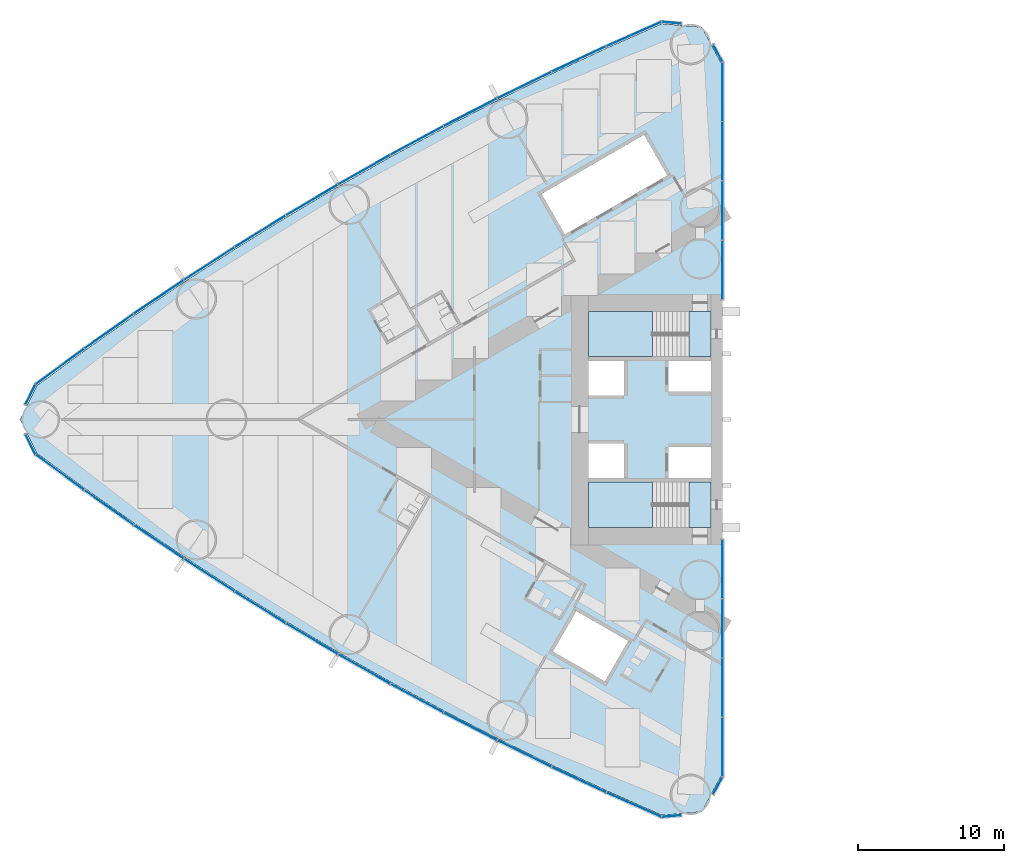
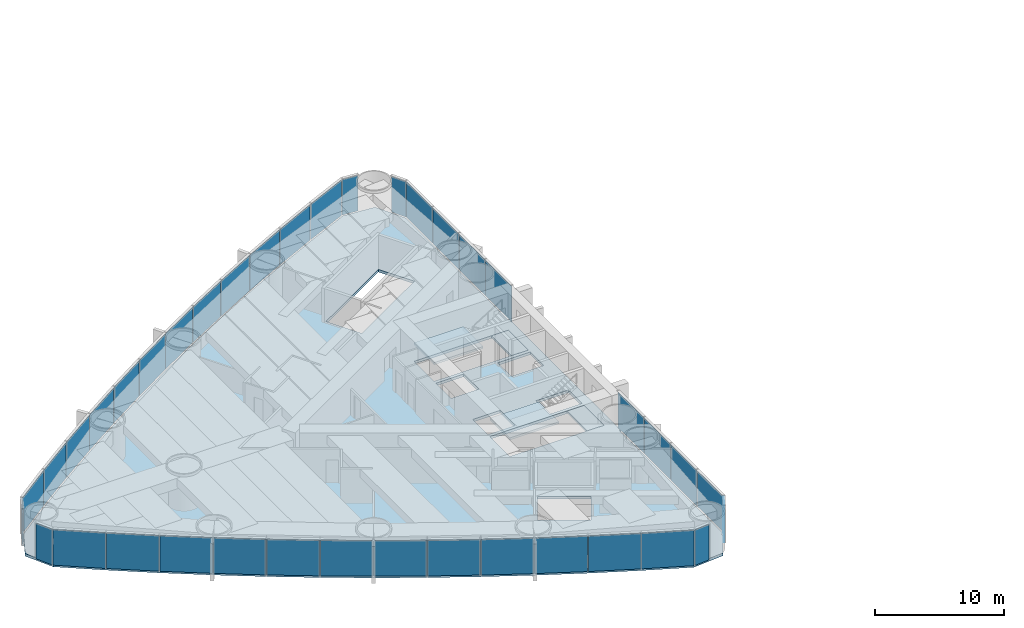
# One storey, part 9 of 19: 38 plates, 5 slabs, 6 elements without a shape of their own.
"""IFC4 building model written with IfcOpenShell, lengths in metres."""

import ifcopenshell
import ifcopenshell.guid

model = None  # the IFC model being written
_history = None  # IfcOwnerHistory: only IFC2X3 demands one
_inside = {}  # id of a spatial element -> (the spatial element, [elements in it])
_under = {}  # id of a project, library or spatial element -> (it, [spatial elements below it])
_declared = {}  # id of a project -> (the project, [libraries it declares])
_typed = {}  # id of a type object -> (the type object, [elements of that type])
_made_of = {}  # id of a material, layer set ... -> (it, [elements and type objects made of it])


def new_model(schema):
    """Start an empty IFC model of exactly this schema.

    Asked for "IFC4X3", IfcOpenShell would pick the latest addendum, in which some entities
    have other attributes; the version numbers below select the first issue.
    IFC2X3 requires an IfcOwnerHistory on every rooted entity: one is made here for all.
    """
    global model, _history
    if schema == "IFC4X3":
        model = ifcopenshell.file(schema_version=(4, 3, 0, 0))
    else:
        model = ifcopenshell.file(schema=schema)
    _inside.clear()
    _under.clear()
    _declared.clear()
    _typed.clear()
    _made_of.clear()
    _history = None
    if model.schema == "IFC2X3":
        org = make("IfcOrganization", Name="unknown")
        user = make(
            "IfcPersonAndOrganization",
            ThePerson=make("IfcPerson", FamilyName="unknown"),
            TheOrganization=org,
        )
        app = make(
            "IfcApplication",
            ApplicationDeveloper=org,
            Version="unknown",
            ApplicationFullName="unknown",
            ApplicationIdentifier="unknown",
        )
        _history = make(
            "IfcOwnerHistory",
            OwningUser=user,
            OwningApplication=app,
            ChangeAction="ADDED",
            CreationDate=0,
        )
    return model


def make(cls, **values):
    """One entity of the class cls with the attributes given. An attribute that is None is left unset."""
    return model.create_entity(
        cls, **{name: value for name, value in values.items() if value is not None}
    )


def rooted(cls, **values):
    """An entity with a GlobalId (a new one), such as an element, a storey or a relation."""
    return make(cls, GlobalId=ifcopenshell.guid.new(), OwnerHistory=_history, **values)


def si_unit(unit_type, name, prefix=None):
    """IfcSIUnit, for example si_unit("LENGTHUNIT", "METRE", prefix="MILLI")."""
    return make("IfcSIUnit", UnitType=unit_type, Prefix=prefix, Name=name)


def assignment(units):
    """IfcUnitAssignment: the units of a project."""
    return None if units is None else make("IfcUnitAssignment", Units=units)


def point(xyz):
    """IfcCartesianPoint."""
    return None if xyz is None else make("IfcCartesianPoint", Coordinates=xyz)


def direction(xyz):
    """IfcDirection."""
    return None if xyz is None else make("IfcDirection", DirectionRatios=xyz)


def frame(location, z_axis=None, x_axis=None):
    """IfcAxis2Placement3D, a coordinate frame: its origin and axes. An axis left out is left unset."""
    return make(
        "IfcAxis2Placement3D",
        Location=point(location),
        Axis=direction(z_axis),
        RefDirection=direction(x_axis),
    )


def frame_2d(location, x_axis=None):
    """IfcAxis2Placement2D, a coordinate frame in the plane: its origin and x axis."""
    return make(
        "IfcAxis2Placement2D", Location=point(location), RefDirection=direction(x_axis)
    )


def origin():
    """The frame at (0, 0, 0) with its axes left unset."""
    return frame((0.0, 0.0, 0.0))


def origin_2d():
    """The frame at (0, 0) in the plane with its x axis left unset."""
    return frame_2d((0.0, 0.0))


def place(relative_to, where):
    """IfcLocalPlacement: puts the frame where relative to a parent placement (None: the world)."""
    return make(
        "IfcLocalPlacement", PlacementRelTo=relative_to, RelativePlacement=where
    )


def context(
    kind, dimensions, precision=None, world=None, true_north=None, identifier=None
):
    """IfcGeometricRepresentationContext, for example the 3D "Model" context."""
    return make(
        "IfcGeometricRepresentationContext",
        ContextIdentifier=identifier,
        ContextType=kind,
        CoordinateSpaceDimension=dimensions,
        Precision=precision,
        WorldCoordinateSystem=world,
        TrueNorth=true_north,
    )


def subcontext(parent, identifier, kind, view, scale=None):
    """IfcGeometricRepresentationSubContext, for example "Body" below "Model"."""
    return make(
        "IfcGeometricRepresentationSubContext",
        ContextIdentifier=identifier,
        ContextType=kind,
        ParentContext=parent,
        TargetScale=scale,
        TargetView=view,
    )


def project(units=None, contexts=None):
    """IfcProject with its units and contexts."""
    return rooted(
        "IfcProject",
        Name="project",
        RepresentationContexts=contexts,
        UnitsInContext=assignment(units),
    )


def spatial(cls, under=None, at=None, **own):
    """A site, building, storey or space (cls), placed at a placement, below another one or the project."""
    s = rooted(cls, ObjectPlacement=at, **own)
    if under is not None:
        _under.setdefault(under.id(), (under, []))[1].append(s)
    return s


def polyline(points):
    """IfcPolyline through the points."""
    return make("IfcPolyline", Points=[point(p) for p in points])


def profile(cls, at=None, kind="AREA", **sizes):
    """A parametric profile (cls). Its sizes go by their IFC names, for example OverallWidth=200.0."""
    return make(cls, ProfileType=kind, Position=at, **sizes)


def rectangle(**sizes):
    """IfcRectangleProfileDef."""
    return profile("IfcRectangleProfileDef", **sizes)


def outline(outer, holes=None, kind="AREA"):
    """IfcArbitraryClosedProfileDef: a profile drawn as a closed curve; with holes, ...WithVoids."""
    if holes is None:
        return make("IfcArbitraryClosedProfileDef", ProfileType=kind, OuterCurve=outer)
    return make(
        "IfcArbitraryProfileDefWithVoids",
        ProfileType=kind,
        OuterCurve=outer,
        InnerCurves=holes,
    )


def extrude(swept, where, along, depth):
    """IfcExtrudedAreaSolid: the profile swept, set in the frame where, extruded along a direction by depth."""
    return make(
        "IfcExtrudedAreaSolid",
        SweptArea=swept,
        Position=where,
        ExtrudedDirection=direction(along),
        Depth=depth,
    )


def shape(context_of_items, identifier, shape_type, items):
    """IfcShapeRepresentation: the items that make up one representation, for example the "Body"."""
    return make(
        "IfcShapeRepresentation",
        ContextOfItems=context_of_items,
        RepresentationIdentifier=identifier,
        RepresentationType=shape_type,
        Items=items,
    )


def material(Name=None, Category=None):
    """IfcMaterial."""
    return make("IfcMaterial", Name=Name, Category=Category)


def layer(
    of_material, thickness, ventilated=None, Name=None, Category=None, Priority=None
):
    """IfcMaterialLayer: one layer of a wall or slab, of a material (None: an air gap)."""
    return make(
        "IfcMaterialLayer",
        Material=of_material,
        LayerThickness=thickness,
        IsVentilated=ventilated,
        Name=Name,
        Category=Category,
        Priority=Priority,
    )


def layer_set(layers, Name=None):
    """IfcMaterialLayerSet."""
    return make("IfcMaterialLayerSet", MaterialLayers=layers, LayerSetName=Name)


def made_of(thing, what):
    """Note that an element or type object is made of a material, layer set ...; save() writes the relation."""
    if what is not None:
        _made_of.setdefault(what.id(), (what, []))[1].append(thing)
    return thing


def type_object(cls, material=None, **own):
    """A type object (cls), such as IfcWallType, which elements share."""
    return made_of(rooted(cls, **own), material)


def element(
    cls,
    number,
    at=None,
    inside=None,
    cuts=None,
    type_object=None,
    material=None,
    context=None,
    identifier="Body",
    shape_type=None,
    held_by="IfcProductDefinitionShape",
    body=None,
    shapes=None,
    **own,
):
    """One element of the class cls, such as IfcWall. Its Tag is "e" and its number.

    at: its placement. inside: the storey or other place that contains it. cuts: it is an
    opening in that element (IfcRelVoidsElement). A single representation is given by context,
    identifier, shape_type and body (its items); several are given by shapes. held_by: the class
    of the entity that holds the representations. save() writes the other relations.
    """
    e = rooted(cls, Tag="e%d" % number, ObjectPlacement=at, **own)
    if body is not None:
        shapes = [shape(context, identifier, shape_type, body)]
    if shapes is not None:
        e.Representation = make(held_by, Representations=shapes)
    if inside is not None:
        _inside.setdefault(inside.id(), (inside, []))[1].append(e)
    if cuts is not None:
        rooted(
            "IfcRelVoidsElement", RelatingBuildingElement=cuts, RelatedOpeningElement=e
        )
    if type_object is not None:
        _typed.setdefault(type_object.id(), (type_object, []))[1].append(e)
    return made_of(e, material)


def aggregate(whole, parts):
    """IfcRelAggregates: a whole, such as a stair, and the parts it consists of."""
    return rooted("IfcRelAggregates", RelatingObject=whole, RelatedObjects=parts)


def save(model, path):
    """Write the relations noted so far, then the file.

    IfcRelAggregates (storeys below a building ...), IfcRelContainedInSpatialStructure (elements
    in a storey), IfcRelDefinesByType, IfcRelAssociatesMaterial and IfcRelDeclares: one each for
    every whole, place, type object, material and project.
    """
    for whole, parts in _under.values():
        aggregate(whole, parts)
    for where, things in _inside.values():
        rooted(
            "IfcRelContainedInSpatialStructure",
            RelatedElements=things,
            RelatingStructure=where,
        )
    for kind, things in _typed.values():
        rooted("IfcRelDefinesByType", RelatedObjects=things, RelatingType=kind)
    for what, things in _made_of.values():
        rooted("IfcRelAssociatesMaterial", RelatedObjects=things, RelatingMaterial=what)
    for by, libraries in _declared.values():
        rooted("IfcRelDeclares", RelatingContext=by, RelatedDefinitions=libraries)
    model.write(path)


model = new_model("IFC4")

# Units and contexts
model_context = context("Model", 3, precision=1e-05, world=origin(), true_north=direction((0.0, 1.0)))
body_context = subcontext(model_context, "Body", "Model", "MODEL_VIEW")
ifc_project = project(units=[si_unit("LENGTHUNIT", "METRE"), si_unit("AREAUNIT", "SQUARE_METRE"), si_unit("VOLUMEUNIT", "CUBIC_METRE"), si_unit("PLANEANGLEUNIT", "RADIAN"), si_unit("MASSUNIT", "GRAM", prefix="KILO")], contexts=[model_context])

# Site, building, storey
site_placement = place(None, origin())
site = spatial("IfcSite", under=ifc_project, at=site_placement, CompositionType="ELEMENT")
building_placement = place(site_placement, origin())
building = spatial("IfcBuilding", under=site, at=building_placement, Name="Lancet Gate Hotel", CompositionType="ELEMENT")
storey_placement = place(building_placement, frame((0.0, 0.0, 25.0)))
storey = spatial("IfcBuildingStorey", under=building, at=storey_placement, Name="L05", CompositionType="ELEMENT", Elevation=25.0)

# Slab
ifc_material_1 = material(Name="Concrete C50/60", Category="concrete")
ifc_layer_1 = layer(ifc_material_1, 0.25)
ifc_layer_set_1 = layer_set([ifc_layer_1], Name="Floor slab 250")
slab_type_1 = type_object("IfcSlabType", Name="Floor slab 250", PredefinedType="FLOOR", material=ifc_layer_set_1)
slab_1_placement = place(storey_placement, frame((0.0, 0.0, -0.25)))
element("IfcSlab", 1, at=slab_1_placement, inside=storey, type_object=slab_type_1, Name="T1 L05 floor slab", PredefinedType="FLOOR", context=body_context, shape_type="SweptSolid", body=[
    extrude(outline(polyline([(-27.5, 8.60009765625), (-27.6201171875, 8.60009765625), (-27.6201171875, 24.4609375), (-28.926513671875, 26.8837890625), (-31.668212890625, 27.12353515625), (-35.424072265625, 25.458740234375), (-39.173583984375, 23.70849609375), (-42.887939453125, 21.884765625), (-46.56591796875, 19.98876953125), (-50.2060546875, 18.02099609375), (-53.806884765625, 15.982421875), (-57.366943359375, 13.87353515625), (-60.88525390625, 11.695068359375), (-64.360107421875, 9.448486328125), (-67.7900390625, 7.134033203125), (-71.17431640625, 4.752685546875), (-74.488525390625, 2.322021484375), (-75.65087890625, 0.0), (-74.488525390625, -2.322021484375), (-71.17431640625, -4.752685546875), (-67.7900390625, -7.134033203125), (-64.360107421875, -9.448486328125), (-60.88525390625, -11.695068359375), (-57.366943359375, -13.87353515625), (-53.806884765625, -15.982421875), (-50.2060546875, -18.02099609375), (-46.56591796875, -19.98876953125), (-42.887939453125, -21.884765625), (-39.173583984375, -23.70849609375), (-35.424072265625, -25.458740234375), (-31.668212890625, -27.12353515625), (-28.926513671875, -26.8837890625), (-27.6201171875, -24.4609375), (-27.6201171875, -8.60009765625), (-27.5, -8.60009765625), (-27.5, -8.199951171875), (-27.5, 8.199951171875), (-27.5, 8.60009765625)]), holes=[polyline([(-36.699951171875, 7.39990234375), (-36.699951171875, 4.300048828125), (-28.300048828125, 4.300048828125), (-28.300048828125, 7.39990234375), (-36.699951171875, 7.39990234375)]), polyline([(-28.300048828125, 4.0), (-31.199951171875, 4.0), (-31.199951171875, 1.89990234375), (-28.300048828125, 1.89990234375), (-28.300048828125, 4.0)]), polyline([(-34.25, 4.0), (-36.699951171875, 4.0), (-36.699951171875, 1.64990234375), (-34.25, 1.64990234375), (-34.25, 4.0)]), polyline([(-36.699951171875, -1.64990234375), (-36.699951171875, -4.0), (-34.25, -4.0), (-34.25, -1.64990234375), (-36.699951171875, -1.64990234375)]), polyline([(-28.300048828125, -1.89990234375), (-31.199951171875, -1.89990234375), (-31.199951171875, -4.0), (-28.300048828125, -4.0), (-28.300048828125, -1.89990234375)]), polyline([(-28.300048828125, -4.300048828125), (-36.699951171875, -4.300048828125), (-36.699951171875, -7.39990234375), (-28.300048828125, -7.39990234375), (-28.300048828125, -4.300048828125)]), polyline([(-31.2900390625, 16.73095703125), (-32.889892578125, 19.501953125), (-39.904052734375, 15.451904296875), (-38.303955078125, 12.680908203125), (-31.2900390625, 16.73095703125)]), polyline([(-33.97412109375, -15.180908203125), (-37.52490234375, -13.131103515625), (-39.125, -15.902099609375), (-35.573974609375, -17.951904296875), (-33.97412109375, -15.180908203125)])]), origin(), (0.0, 0.0, 1.0), 0.25),
])

# Stair, slabs
ifc_material_2 = material(Name="Exit stair 20 risers 1500")
stair_type = type_object("IfcStairType", Name="Exit stair 20 risers 1500", PredefinedType="HALF_TURN_STAIR", material=ifc_material_2)
stair_1_placement = place(storey_placement, origin())
stair_1 = element("IfcStair", 2, at=stair_1_placement, inside=storey, type_object=stair_type, Name="T1 stair 1 L05", PredefinedType="HALF_TURN_STAIR")
ifc_material_3 = material(Name="Concrete C40/50", Category="concrete")
ifc_layer_2 = layer(ifc_material_3, 0.199951171875)
ifc_layer_set_2 = layer_set([ifc_layer_2], Name="Stair landing 200")
slab_type_2 = type_object("IfcSlabType", Name="Stair landing 200", PredefinedType="LANDING", material=ifc_layer_set_2)
slab_2_placement = place(storey_placement, frame((0.0, 0.0, -0.199951171875)))
slab_2 = element("IfcSlab", 3, at=slab_2_placement, type_object=slab_type_2, Name="ST1 landing 1", PredefinedType="LANDING", context=body_context, shape_type="SweptSolid", body=[
    extrude(outline(polyline([(-28.300048828125, 7.39990234375), (-29.800048828125, 7.39990234375), (-29.800048828125, 4.300048828125), (-28.300048828125, 4.300048828125), (-28.300048828125, 7.39990234375)])), origin(), (0.0, 0.0, 1.0), 0.199951171875),
])
slab_3_placement = place(storey_placement, frame((0.0, 0.0, 1.550048828125)))
slab_3 = element("IfcSlab", 4, at=slab_3_placement, type_object=slab_type_2, Name="ST1 landing 2", PredefinedType="LANDING", context=body_context, shape_type="SweptSolid", body=[
    extrude(outline(polyline([(-32.320068359375, 7.39990234375), (-36.699951171875, 7.39990234375), (-36.699951171875, 4.300048828125), (-32.320068359375, 4.300048828125), (-32.320068359375, 7.39990234375)])), origin(), (0.0, 0.0, 1.0), 0.199951171875),
])
aggregate(stair_1, [slab_2, slab_3])

stair_2_placement = place(storey_placement, origin())
stair_2 = element("IfcStair", 5, at=stair_2_placement, inside=storey, type_object=stair_type, Name="T1 stair 2 L05", PredefinedType="HALF_TURN_STAIR")
slab_4_placement = place(storey_placement, frame((0.0, 0.0, -0.199951171875)))
slab_4 = element("IfcSlab", 6, at=slab_4_placement, type_object=slab_type_2, Name="ST2 landing 1", PredefinedType="LANDING", context=body_context, shape_type="SweptSolid", body=[
    extrude(outline(polyline([(-28.300048828125, -4.300048828125), (-29.800048828125, -4.300048828125), (-29.800048828125, -7.39990234375), (-28.300048828125, -7.39990234375), (-28.300048828125, -4.300048828125)])), origin(), (0.0, 0.0, 1.0), 0.199951171875),
])
slab_5_placement = place(storey_placement, frame((0.0, 0.0, 1.550048828125)))
slab_5 = element("IfcSlab", 7, at=slab_5_placement, type_object=slab_type_2, Name="ST2 landing 2", PredefinedType="LANDING", context=body_context, shape_type="SweptSolid", body=[
    extrude(outline(polyline([(-32.320068359375, -4.300048828125), (-36.699951171875, -4.300048828125), (-36.699951171875, -7.39990234375), (-32.320068359375, -7.39990234375), (-32.320068359375, -4.300048828125)])), origin(), (0.0, 0.0, 1.0), 0.199951171875),
])
aggregate(stair_2, [slab_4, slab_5])

# Curtain wall, plates
ifc_material_4 = material(Name="Aluminium curtain wall", Category="aluminium")
curtain_wall_type = type_object("IfcCurtainWallType", Name="Tower unitised curtain wall", PredefinedType="USERDEFINED", material=ifc_material_4)
curtain_wall_1_placement = place(storey_placement, origin())
curtain_wall_1 = element("IfcCurtainWall", 8, at=curtain_wall_1_placement, inside=storey, type_object=curtain_wall_type, Name="T1 L05 curtain wall 1", ObjectType="UNITISED CURTAIN WALL", PredefinedType="USERDEFINED")
ifc_material_5 = material(Name="Glass double glazed unit 8-16-6", Category="glass")
ifc_layer_3 = layer(ifc_material_5, 0.030029296875)
ifc_layer_set_3 = layer_set([ifc_layer_3], Name="Vision panel double glazed")
plate_type = type_object("IfcPlateType", Name="Vision panel double glazed", PredefinedType="CURTAIN_PANEL", material=ifc_layer_set_3)
plate_1_placement = place(storey_placement, frame((-27.5, 10.236328125, 0.0), z_axis=(0.0, 0.0, 1.0), x_axis=(0.0, 1.0, 0.0)))
plate_1 = element("IfcPlate", 9, at=plate_1_placement, type_object=plate_type, Name="T1 L05 curtain wall 1 panel 1", PredefinedType="CURTAIN_PANEL", context=body_context, shape_type="SweptSolid", body=[
    extrude(rectangle(XDim=4.0078125, YDim=0.030029296875, at=origin_2d()), origin(), (0.0, 0.0, 1.0), 3.35009765625),
])
plate_2_placement = place(storey_placement, frame((-27.5, 14.30908203125, 0.0), z_axis=(0.0, 0.0, 1.0), x_axis=(0.0, 1.0, 0.0)))
plate_2 = element("IfcPlate", 10, at=plate_2_placement, type_object=plate_type, Name="T1 L05 curtain wall 1 panel 2", PredefinedType="CURTAIN_PANEL", context=body_context, shape_type="SweptSolid", body=[
    extrude(rectangle(XDim=4.0078125, YDim=0.030029296875, at=origin_2d()), origin(), (0.0, 0.0, 1.0), 3.35009765625),
])
plate_3_placement = place(storey_placement, frame((-27.5, 18.382080078125, 0.0), z_axis=(0.0, 0.0, 1.0), x_axis=(0.0, 1.0, 0.0)))
plate_3 = element("IfcPlate", 11, at=plate_3_placement, type_object=plate_type, Name="T1 L05 curtain wall 1 panel 3", PredefinedType="CURTAIN_PANEL", context=body_context, shape_type="SweptSolid", body=[
    extrude(rectangle(XDim=4.0078125, YDim=0.030029296875, at=origin_2d()), origin(), (0.0, 0.0, 1.0), 3.35009765625),
])
plate_4_placement = place(storey_placement, frame((-27.5, 22.454833984375, 0.0), z_axis=(0.0, 0.0, 1.0), x_axis=(0.0, 1.0, 0.0)))
plate_4 = element("IfcPlate", 12, at=plate_4_placement, type_object=plate_type, Name="T1 L05 curtain wall 1 panel 4", PredefinedType="CURTAIN_PANEL", context=body_context, shape_type="SweptSolid", body=[
    extrude(rectangle(XDim=4.0078125, YDim=0.030029296875, at=origin_2d()), origin(), (0.0, 0.0, 1.0), 3.35009765625),
])
plate_5_placement = place(storey_placement, frame((-27.829345703125, 25.10205078125, 0.0), z_axis=(0.0, 0.0, 1.0), x_axis=(-0.474631040972, 0.880184852714, 0.0)))
plate_5 = element("IfcPlate", 13, at=plate_5_placement, type_object=plate_type, Name="T1 L05 curtain wall 1 panel 5", PredefinedType="CURTAIN_PANEL", context=body_context, shape_type="SweptSolid", body=[
    extrude(rectangle(XDim=1.322998046875, YDim=0.030029296875, at=origin_2d()), origin(), (0.0, 0.0, 1.0), 3.35009765625),
])
aggregate(curtain_wall_1, [plate_1, plate_2, plate_3, plate_4, plate_5])

curtain_wall_2_placement = place(storey_placement, origin())
curtain_wall_2 = element("IfcCurtainWall", 14, at=curtain_wall_2_placement, inside=storey, type_object=curtain_wall_type, Name="T1 L05 curtain wall 2", ObjectType="UNITISED CURTAIN WALL", PredefinedType="USERDEFINED")
plate_6_placement = place(storey_placement, frame((-30.99658203125, 27.185302734375, 0.0), z_axis=(0.0, 0.0, 1.0), x_axis=(-0.99620380374, 0.087051602022, 0.0)))
plate_6 = element("IfcPlate", 15, at=plate_6_placement, type_object=plate_type, Name="T1 L05 curtain wall 2 panel 1", PredefinedType="CURTAIN_PANEL", context=body_context, shape_type="SweptSolid", body=[
    extrude(rectangle(XDim=1.32421875, YDim=0.030029296875, at=origin_2d()), origin(), (0.0, 0.0, 1.0), 3.35009765625),
])
plate_7_placement = place(storey_placement, frame((-33.581298828125, 26.406982421875, 0.0), z_axis=(0.0, 0.0, 1.0), x_axis=(-0.914234183208, -0.405186201954, 0.0)))
plate_7 = element("IfcPlate", 16, at=plate_7_placement, type_object=plate_type, Name="T1 L05 curtain wall 2 panel 2", PredefinedType="CURTAIN_PANEL", context=body_context, shape_type="SweptSolid", body=[
    extrude(rectangle(XDim=4.0751953125, YDim=0.030029296875, at=origin_2d()), origin(), (0.0, 0.0, 1.0), 3.35009765625),
])
plate_8_placement = place(storey_placement, frame((-37.349609375, 24.6923828125, 0.0), z_axis=(0.0, 0.0, 1.0), x_axis=(-0.906117767284, -0.423025521467, 0.0)))
plate_8 = element("IfcPlate", 17, at=plate_8_placement, type_object=plate_type, Name="T1 L05 curtain wall 2 panel 3", PredefinedType="CURTAIN_PANEL", context=body_context, shape_type="SweptSolid", body=[
    extrude(rectangle(XDim=4.0751953125, YDim=0.030029296875, at=origin_2d()), origin(), (0.0, 0.0, 1.0), 3.35009765625),
])
plate_9_placement = place(storey_placement, frame((-41.083740234375, 22.904296875, 0.0), z_axis=(0.0, 0.0, 1.0), x_axis=(-0.897653295642, -0.440702349463, 0.0)))
plate_9 = element("IfcPlate", 18, at=plate_9_placement, type_object=plate_type, Name="T1 L05 curtain wall 2 panel 4", PredefinedType="CURTAIN_PANEL", context=body_context, shape_type="SweptSolid", body=[
    extrude(rectangle(XDim=4.0751953125, YDim=0.030029296875, at=origin_2d()), origin(), (0.0, 0.0, 1.0), 3.35009765625),
])
plate_10_placement = place(storey_placement, frame((-44.781982421875, 21.04345703125, 0.0), z_axis=(0.0, 0.0, 1.0), x_axis=(-0.888844019644, -0.458209895946, 0.0)))
plate_10 = element("IfcPlate", 19, at=plate_10_placement, type_object=plate_type, Name="T1 L05 curtain wall 2 panel 5", PredefinedType="CURTAIN_PANEL", context=body_context, shape_type="SweptSolid", body=[
    extrude(rectangle(XDim=4.0751953125, YDim=0.030029296875, at=origin_2d()), origin(), (0.0, 0.0, 1.0), 3.35009765625),
])
plate_11_placement = place(storey_placement, frame((-48.443115234375, 19.110595703125, 0.0), z_axis=(0.0, 0.0, 1.0), x_axis=(-0.87969332307, -0.475541435993, 0.0)))
plate_11 = element("IfcPlate", 20, at=plate_11_placement, type_object=plate_type, Name="T1 L05 curtain wall 2 panel 6", PredefinedType="CURTAIN_PANEL", context=body_context, shape_type="SweptSolid", body=[
    extrude(rectangle(XDim=4.0751953125, YDim=0.030029296875, at=origin_2d()), origin(), (0.0, 0.0, 1.0), 3.35009765625),
])
plate_12_placement = place(storey_placement, frame((-52.065673828125, 17.106201171875, 0.0), z_axis=(0.0, 0.0, 1.0), x_axis=(-0.870204720871, -0.492690312238, 0.0)))
plate_12 = element("IfcPlate", 21, at=plate_12_placement, type_object=plate_type, Name="T1 L05 curtain wall 2 panel 7", PredefinedType="CURTAIN_PANEL", context=body_context, shape_type="SweptSolid", body=[
    extrude(rectangle(XDim=4.0751953125, YDim=0.030029296875, at=origin_2d()), origin(), (0.0, 0.0, 1.0), 3.35009765625),
])
plate_13_placement = place(storey_placement, frame((-55.648193359375, 15.031005859375, 0.0), z_axis=(0.0, 0.0, 1.0), x_axis=(-0.860381857795, -0.509649937484, 0.0)))
plate_13 = element("IfcPlate", 22, at=plate_13_placement, type_object=plate_type, Name="T1 L05 curtain wall 2 panel 8", PredefinedType="CURTAIN_PANEL", context=body_context, shape_type="SweptSolid", body=[
    extrude(rectangle(XDim=4.0751953125, YDim=0.030029296875, at=origin_2d()), origin(), (0.0, 0.0, 1.0), 3.35009765625),
])
plate_14_placement = place(storey_placement, frame((-59.189208984375, 12.88623046875, 0.0), z_axis=(0.0, 0.0, 1.0), x_axis=(-0.850228506958, -0.52641379727, 0.0)))
plate_14 = element("IfcPlate", 23, at=plate_14_placement, type_object=plate_type, Name="T1 L05 curtain wall 2 panel 9", PredefinedType="CURTAIN_PANEL", context=body_context, shape_type="SweptSolid", body=[
    extrude(rectangle(XDim=4.0751953125, YDim=0.030029296875, at=origin_2d()), origin(), (0.0, 0.0, 1.0), 3.35009765625),
])
plate_15_placement = place(storey_placement, frame((-62.687744140625, 10.672607421875, 0.0), z_axis=(0.0, 0.0, 1.0), x_axis=(-0.839748568448, -0.54297545229, 0.0)))
plate_15 = element("IfcPlate", 24, at=plate_15_placement, type_object=plate_type, Name="T1 L05 curtain wall 2 panel 10", PredefinedType="CURTAIN_PANEL", context=body_context, shape_type="SweptSolid", body=[
    extrude(rectangle(XDim=4.0751953125, YDim=0.030029296875, at=origin_2d()), origin(), (0.0, 0.0, 1.0), 3.35009765625),
])
plate_16_placement = place(storey_placement, frame((-66.142333984375, 8.390625, 0.0), z_axis=(0.0, 0.0, 1.0), x_axis=(-0.828946067803, -0.559328540907, 0.0)))
plate_16 = element("IfcPlate", 25, at=plate_16_placement, type_object=plate_type, Name="T1 L05 curtain wall 2 panel 11", PredefinedType="CURTAIN_PANEL", context=body_context, shape_type="SweptSolid", body=[
    extrude(rectangle(XDim=4.0751953125, YDim=0.030029296875, at=origin_2d()), origin(), (0.0, 0.0, 1.0), 3.35009765625),
])
plate_17_placement = place(storey_placement, frame((-69.55126953125, 6.04150390625, 0.0), z_axis=(0.0, 0.0, 1.0), x_axis=(-0.817825154435, -0.575466781642, 0.0)))
plate_17 = element("IfcPlate", 26, at=plate_17_placement, type_object=plate_type, Name="T1 L05 curtain wall 2 panel 12", PredefinedType="CURTAIN_PANEL", context=body_context, shape_type="SweptSolid", body=[
    extrude(rectangle(XDim=4.0751953125, YDim=0.030029296875, at=origin_2d()), origin(), (0.0, 0.0, 1.0), 3.35009765625),
])
plate_18_placement = place(storey_placement, frame((-72.91357421875, 3.6259765625, 0.0), z_axis=(0.0, 0.0, 1.0), x_axis=(-0.80639010009, -0.591383975499, 0.0)))
plate_18 = element("IfcPlate", 27, at=plate_18_placement, type_object=plate_type, Name="T1 L05 curtain wall 2 panel 13", PredefinedType="CURTAIN_PANEL", context=body_context, shape_type="SweptSolid", body=[
    extrude(rectangle(XDim=4.0751953125, YDim=0.030029296875, at=origin_2d()), origin(), (0.0, 0.0, 1.0), 3.35009765625),
])
plate_19_placement = place(storey_placement, frame((-74.93505859375, 1.6982421875, 0.0), z_axis=(0.0, 0.0, 1.0), x_axis=(-0.447628324726, -0.89421970617, 0.0)))
plate_19 = element("IfcPlate", 28, at=plate_19_placement, type_object=plate_type, Name="T1 L05 curtain wall 2 panel 14", PredefinedType="CURTAIN_PANEL", context=body_context, shape_type="SweptSolid", body=[
    extrude(rectangle(XDim=1.50830078125, YDim=0.030029296875, at=origin_2d()), origin(), (0.0, 0.0, 1.0), 3.35009765625),
])
aggregate(curtain_wall_2, [plate_6, plate_7, plate_8, plate_9, plate_10, plate_11, plate_12, plate_13, plate_14, plate_15, plate_16, plate_17, plate_18, plate_19])

curtain_wall_3_placement = place(storey_placement, origin())
curtain_wall_3 = element("IfcCurtainWall", 29, at=curtain_wall_3_placement, inside=storey, type_object=curtain_wall_type, Name="T1 L05 curtain wall 3", ObjectType="UNITISED CURTAIN WALL", PredefinedType="USERDEFINED")
plate_20_placement = place(storey_placement, frame((-74.93505859375, -1.6982421875, 0.0), z_axis=(0.0, 0.0, 1.0), x_axis=(0.447628324726, -0.89421970617, 0.0)))
plate_20 = element("IfcPlate", 30, at=plate_20_placement, type_object=plate_type, Name="T1 L05 curtain wall 3 panel 1", PredefinedType="CURTAIN_PANEL", context=body_context, shape_type="SweptSolid", body=[
    extrude(rectangle(XDim=1.50830078125, YDim=0.030029296875, at=origin_2d()), origin(), (0.0, 0.0, 1.0), 3.35009765625),
])
plate_21_placement = place(storey_placement, frame((-72.91357421875, -3.6259765625, 0.0), z_axis=(0.0, 0.0, 1.0), x_axis=(0.80639010009, -0.591383975499, 0.0)))
plate_21 = element("IfcPlate", 31, at=plate_21_placement, type_object=plate_type, Name="T1 L05 curtain wall 3 panel 2", PredefinedType="CURTAIN_PANEL", context=body_context, shape_type="SweptSolid", body=[
    extrude(rectangle(XDim=4.0751953125, YDim=0.030029296875, at=origin_2d()), origin(), (0.0, 0.0, 1.0), 3.35009765625),
])
plate_22_placement = place(storey_placement, frame((-69.55126953125, -6.04150390625, 0.0), z_axis=(0.0, 0.0, 1.0), x_axis=(0.817825154435, -0.575466781642, 0.0)))
plate_22 = element("IfcPlate", 32, at=plate_22_placement, type_object=plate_type, Name="T1 L05 curtain wall 3 panel 3", PredefinedType="CURTAIN_PANEL", context=body_context, shape_type="SweptSolid", body=[
    extrude(rectangle(XDim=4.0751953125, YDim=0.030029296875, at=origin_2d()), origin(), (0.0, 0.0, 1.0), 3.35009765625),
])
plate_23_placement = place(storey_placement, frame((-66.142333984375, -8.390625, 0.0), z_axis=(0.0, 0.0, 1.0), x_axis=(0.828946067803, -0.559328540907, 0.0)))
plate_23 = element("IfcPlate", 33, at=plate_23_placement, type_object=plate_type, Name="T1 L05 curtain wall 3 panel 4", PredefinedType="CURTAIN_PANEL", context=body_context, shape_type="SweptSolid", body=[
    extrude(rectangle(XDim=4.0751953125, YDim=0.030029296875, at=origin_2d()), origin(), (0.0, 0.0, 1.0), 3.35009765625),
])
plate_24_placement = place(storey_placement, frame((-62.687744140625, -10.672607421875, 0.0), z_axis=(0.0, 0.0, 1.0), x_axis=(0.839748568448, -0.54297545229, 0.0)))
plate_24 = element("IfcPlate", 34, at=plate_24_placement, type_object=plate_type, Name="T1 L05 curtain wall 3 panel 5", PredefinedType="CURTAIN_PANEL", context=body_context, shape_type="SweptSolid", body=[
    extrude(rectangle(XDim=4.0751953125, YDim=0.030029296875, at=origin_2d()), origin(), (0.0, 0.0, 1.0), 3.35009765625),
])
plate_25_placement = place(storey_placement, frame((-59.189208984375, -12.88623046875, 0.0), z_axis=(0.0, 0.0, 1.0), x_axis=(0.850228506958, -0.52641379727, 0.0)))
plate_25 = element("IfcPlate", 35, at=plate_25_placement, type_object=plate_type, Name="T1 L05 curtain wall 3 panel 6", PredefinedType="CURTAIN_PANEL", context=body_context, shape_type="SweptSolid", body=[
    extrude(rectangle(XDim=4.0751953125, YDim=0.030029296875, at=origin_2d()), origin(), (0.0, 0.0, 1.0), 3.35009765625),
])
plate_26_placement = place(storey_placement, frame((-55.648193359375, -15.031005859375, 0.0), z_axis=(0.0, 0.0, 1.0), x_axis=(0.860381857795, -0.509649937484, 0.0)))
plate_26 = element("IfcPlate", 36, at=plate_26_placement, type_object=plate_type, Name="T1 L05 curtain wall 3 panel 7", PredefinedType="CURTAIN_PANEL", context=body_context, shape_type="SweptSolid", body=[
    extrude(rectangle(XDim=4.0751953125, YDim=0.030029296875, at=origin_2d()), origin(), (0.0, 0.0, 1.0), 3.35009765625),
])
plate_27_placement = place(storey_placement, frame((-52.065673828125, -17.106201171875, 0.0), z_axis=(0.0, 0.0, 1.0), x_axis=(0.870204720871, -0.492690312238, 0.0)))
plate_27 = element("IfcPlate", 37, at=plate_27_placement, type_object=plate_type, Name="T1 L05 curtain wall 3 panel 8", PredefinedType="CURTAIN_PANEL", context=body_context, shape_type="SweptSolid", body=[
    extrude(rectangle(XDim=4.0751953125, YDim=0.030029296875, at=origin_2d()), origin(), (0.0, 0.0, 1.0), 3.35009765625),
])
plate_28_placement = place(storey_placement, frame((-48.443115234375, -19.110595703125, 0.0), z_axis=(0.0, 0.0, 1.0), x_axis=(0.87969332307, -0.475541435993, 0.0)))
plate_28 = element("IfcPlate", 38, at=plate_28_placement, type_object=plate_type, Name="T1 L05 curtain wall 3 panel 9", PredefinedType="CURTAIN_PANEL", context=body_context, shape_type="SweptSolid", body=[
    extrude(rectangle(XDim=4.0751953125, YDim=0.030029296875, at=origin_2d()), origin(), (0.0, 0.0, 1.0), 3.35009765625),
])
plate_29_placement = place(storey_placement, frame((-44.781982421875, -21.04345703125, 0.0), z_axis=(0.0, 0.0, 1.0), x_axis=(0.888844019644, -0.458209895946, 0.0)))
plate_29 = element("IfcPlate", 39, at=plate_29_placement, type_object=plate_type, Name="T1 L05 curtain wall 3 panel 10", PredefinedType="CURTAIN_PANEL", context=body_context, shape_type="SweptSolid", body=[
    extrude(rectangle(XDim=4.0751953125, YDim=0.030029296875, at=origin_2d()), origin(), (0.0, 0.0, 1.0), 3.35009765625),
])
plate_30_placement = place(storey_placement, frame((-41.083740234375, -22.904296875, 0.0), z_axis=(0.0, 0.0, 1.0), x_axis=(0.897653295642, -0.440702349463, 0.0)))
plate_30 = element("IfcPlate", 40, at=plate_30_placement, type_object=plate_type, Name="T1 L05 curtain wall 3 panel 11", PredefinedType="CURTAIN_PANEL", context=body_context, shape_type="SweptSolid", body=[
    extrude(rectangle(XDim=4.0751953125, YDim=0.030029296875, at=origin_2d()), origin(), (0.0, 0.0, 1.0), 3.35009765625),
])
plate_31_placement = place(storey_placement, frame((-37.349609375, -24.6923828125, 0.0), z_axis=(0.0, 0.0, 1.0), x_axis=(0.906117767284, -0.423025521467, 0.0)))
plate_31 = element("IfcPlate", 41, at=plate_31_placement, type_object=plate_type, Name="T1 L05 curtain wall 3 panel 12", PredefinedType="CURTAIN_PANEL", context=body_context, shape_type="SweptSolid", body=[
    extrude(rectangle(XDim=4.0751953125, YDim=0.030029296875, at=origin_2d()), origin(), (0.0, 0.0, 1.0), 3.35009765625),
])
plate_32_placement = place(storey_placement, frame((-33.581298828125, -26.406982421875, 0.0), z_axis=(0.0, 0.0, 1.0), x_axis=(0.914234183208, -0.405186201954, 0.0)))
plate_32 = element("IfcPlate", 42, at=plate_32_placement, type_object=plate_type, Name="T1 L05 curtain wall 3 panel 13", PredefinedType="CURTAIN_PANEL", context=body_context, shape_type="SweptSolid", body=[
    extrude(rectangle(XDim=4.0751953125, YDim=0.030029296875, at=origin_2d()), origin(), (0.0, 0.0, 1.0), 3.35009765625),
])
plate_33_placement = place(storey_placement, frame((-30.99658203125, -27.185302734375, 0.0), z_axis=(0.0, 0.0, 1.0), x_axis=(0.99620380374, 0.087051602022, 0.0)))
plate_33 = element("IfcPlate", 43, at=plate_33_placement, type_object=plate_type, Name="T1 L05 curtain wall 3 panel 14", PredefinedType="CURTAIN_PANEL", context=body_context, shape_type="SweptSolid", body=[
    extrude(rectangle(XDim=1.32421875, YDim=0.030029296875, at=origin_2d()), origin(), (0.0, 0.0, 1.0), 3.35009765625),
])
aggregate(curtain_wall_3, [plate_20, plate_21, plate_22, plate_23, plate_24, plate_25, plate_26, plate_27, plate_28, plate_29, plate_30, plate_31, plate_32, plate_33])

curtain_wall_4_placement = place(storey_placement, origin())
curtain_wall_4 = element("IfcCurtainWall", 44, at=curtain_wall_4_placement, inside=storey, type_object=curtain_wall_type, Name="T1 L05 curtain wall 4", ObjectType="UNITISED CURTAIN WALL", PredefinedType="USERDEFINED")
plate_34_placement = place(storey_placement, frame((-27.829345703125, -25.10205078125, 0.0), z_axis=(0.0, 0.0, 1.0), x_axis=(0.474631040972, 0.880184852714, 0.0)))
plate_34 = element("IfcPlate", 45, at=plate_34_placement, type_object=plate_type, Name="T1 L05 curtain wall 4 panel 1", PredefinedType="CURTAIN_PANEL", context=body_context, shape_type="SweptSolid", body=[
    extrude(rectangle(XDim=1.322998046875, YDim=0.030029296875, at=origin_2d()), origin(), (0.0, 0.0, 1.0), 3.35009765625),
])
plate_35_placement = place(storey_placement, frame((-27.5, -22.454833984375, 0.0), z_axis=(0.0, 0.0, 1.0), x_axis=(0.0, 1.0, 0.0)))
plate_35 = element("IfcPlate", 46, at=plate_35_placement, type_object=plate_type, Name="T1 L05 curtain wall 4 panel 2", PredefinedType="CURTAIN_PANEL", context=body_context, shape_type="SweptSolid", body=[
    extrude(rectangle(XDim=4.0078125, YDim=0.030029296875, at=origin_2d()), origin(), (0.0, 0.0, 1.0), 3.35009765625),
])
plate_36_placement = place(storey_placement, frame((-27.5, -18.382080078125, 0.0), z_axis=(0.0, 0.0, 1.0), x_axis=(0.0, 1.0, 0.0)))
plate_36 = element("IfcPlate", 47, at=plate_36_placement, type_object=plate_type, Name="T1 L05 curtain wall 4 panel 3", PredefinedType="CURTAIN_PANEL", context=body_context, shape_type="SweptSolid", body=[
    extrude(rectangle(XDim=4.0078125, YDim=0.030029296875, at=origin_2d()), origin(), (0.0, 0.0, 1.0), 3.35009765625),
])
plate_37_placement = place(storey_placement, frame((-27.5, -14.30908203125, 0.0), z_axis=(0.0, 0.0, 1.0), x_axis=(0.0, 1.0, 0.0)))
plate_37 = element("IfcPlate", 48, at=plate_37_placement, type_object=plate_type, Name="T1 L05 curtain wall 4 panel 4", PredefinedType="CURTAIN_PANEL", context=body_context, shape_type="SweptSolid", body=[
    extrude(rectangle(XDim=4.0078125, YDim=0.030029296875, at=origin_2d()), origin(), (0.0, 0.0, 1.0), 3.35009765625),
])
plate_38_placement = place(storey_placement, frame((-27.5, -10.236328125, 0.0), z_axis=(0.0, 0.0, 1.0), x_axis=(0.0, 1.0, 0.0)))
plate_38 = element("IfcPlate", 49, at=plate_38_placement, type_object=plate_type, Name="T1 L05 curtain wall 4 panel 5", PredefinedType="CURTAIN_PANEL", context=body_context, shape_type="SweptSolid", body=[
    extrude(rectangle(XDim=4.0078125, YDim=0.030029296875, at=origin_2d()), origin(), (0.0, 0.0, 1.0), 3.35009765625),
])
aggregate(curtain_wall_4, [plate_34, plate_35, plate_36, plate_37, plate_38])

save(model, "model.ifc")
